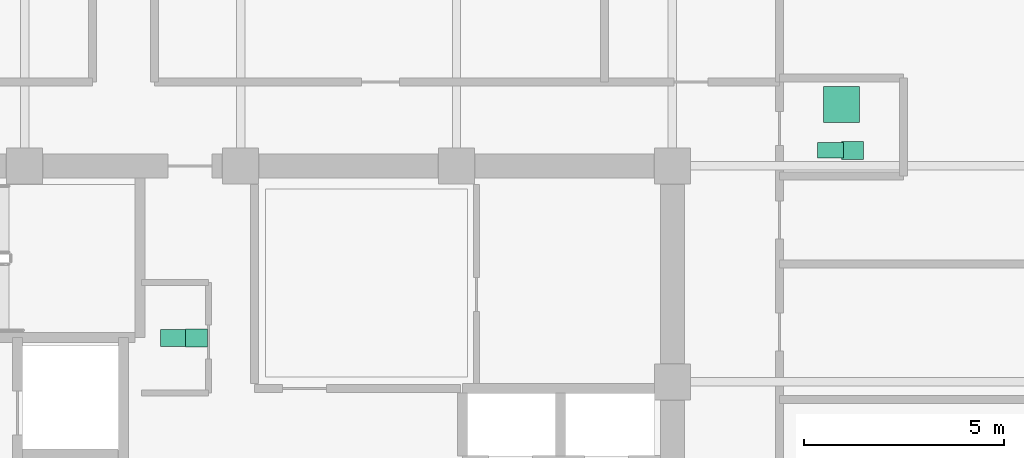
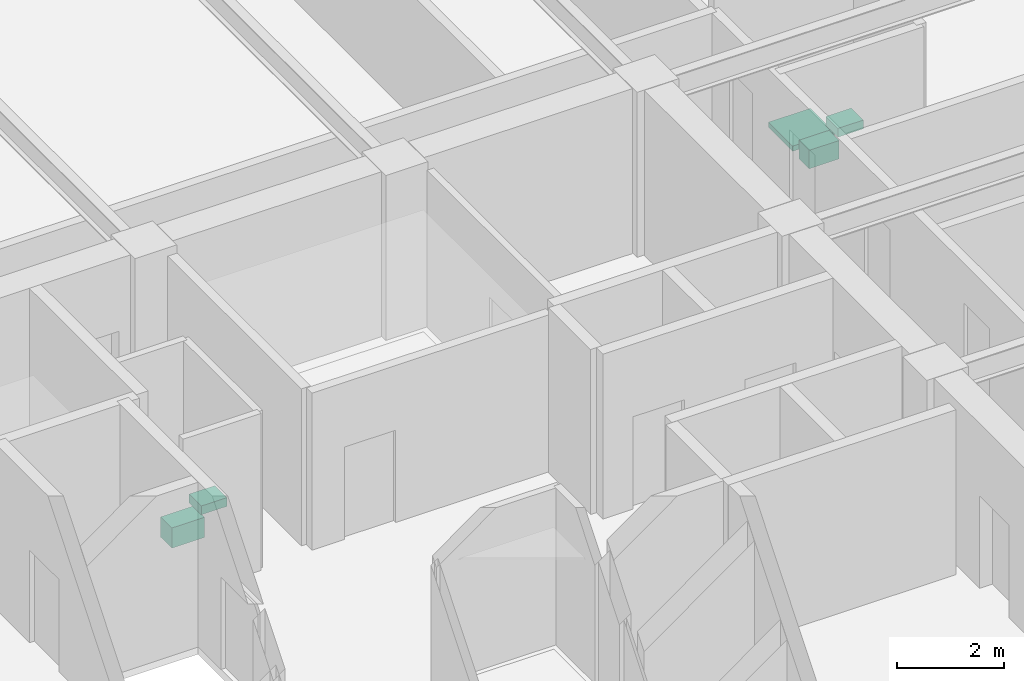
# One storey, part 32 of 32: 5 sanitary terminals.
"""IFC4 building model written with IfcOpenShell, lengths in metres."""

from ifc_helpers import new_model, si_unit, direction, frame, origin, origin_2d, place, context, subcontext, project, spatial, rectangle, extrude, material, type_object, element, save


model = new_model("IFC4")

# Units and contexts
model_context = context("Model", 3, precision=1e-05, world=origin(), true_north=direction((0.0, 1.0)))
body_context = subcontext(model_context, "Body", "Model", "MODEL_VIEW")
ifc_project = project(units=[si_unit("LENGTHUNIT", "METRE"), si_unit("AREAUNIT", "SQUARE_METRE"), si_unit("VOLUMEUNIT", "CUBIC_METRE"), si_unit("PLANEANGLEUNIT", "RADIAN"), si_unit("MASSUNIT", "GRAM", prefix="KILO")], contexts=[model_context])

# Site, building, storey
site_placement = place(None, origin())
site = spatial("IfcSite", under=ifc_project, at=site_placement, CompositionType="ELEMENT")
building_placement = place(site_placement, origin())
building = spatial("IfcBuilding", under=site, at=building_placement, Name="Surkhivell Harbour Commons", CompositionType="ELEMENT")
storey_placement = place(building_placement, frame((0.0, 0.0, 208.5)))
storey = spatial("IfcBuildingStorey", under=building, at=storey_placement, Name="L54", CompositionType="ELEMENT", Elevation=208.5)

# Sanitary terminals
ifc_material_1 = material(Name="Vitreous china washbasin", Category="other")
sanitary_terminal_type_1 = type_object("IfcSanitaryTerminalType", Name="SAN-BSN", PredefinedType="WASHHANDBASIN", material=ifc_material_1)
for number, where, z_axis, x_axis, name in (
    (1, (-1.10009765625, 6.5, 0.72021484375), (0.0, 0.0, 1.0), (1.0, 0.0, 0.0), "L54 Core Accessible WC Washbasin"),
    (2, (15.300048828125, 11.18994140625, 0.72021484375), (0.0, 0.0, 1.0), (1.0, 0.0, 0.0), "L54 East Communal Bathroom WC Washbasin"),
):
    element("IfcSanitaryTerminal", number, at=place(storey_placement, frame(where, z_axis=z_axis, x_axis=x_axis)), inside=storey, type_object=sanitary_terminal_type_1, Name=name, PredefinedType="WASHHANDBASIN", context=body_context, shape_type="SweptSolid", body=[
        extrude(rectangle(XDim=0.550048828125, YDim=0.449951171875, at=origin_2d()), origin(), (0.0, 0.0, 1.0), 0.199951171875),
    ])
ifc_material_2 = material(Name="Glazed porcelain shower tray", Category="other")
sanitary_terminal_type_2 = type_object("IfcSanitaryTerminalType", Name="SAN-SHW", PredefinedType="SHOWER", material=ifc_material_2)
sanitary_terminal_1_placement = place(storey_placement, frame((15.030029296875, 12.330078125, 0.0), z_axis=(0.0, 0.0, 1.0), x_axis=(1.0, 0.0, 0.0)))
element("IfcSanitaryTerminal", 3, at=sanitary_terminal_1_placement, inside=storey, type_object=sanitary_terminal_type_2, Name="L54 East Communal Shower Tray", PredefinedType="SHOWER", context=body_context, shape_type="SweptSolid", body=[
    extrude(rectangle(XDim=0.89990234375, YDim=0.89990234375, at=origin_2d()), origin(), (0.0, 0.0, 1.0), 0.1201171875),
])
ifc_material_3 = material(Name="Vitreous china sanitaryware", Category="other")
sanitary_terminal_type_3 = type_object("IfcSanitaryTerminalType", Name="SAN-WC-ACC", PredefinedType="TOILETPAN", material=ifc_material_3)
sanitary_terminal_2_placement = place(storey_placement, frame((-1.64990234375, 6.5, 0.169921875), z_axis=(0.0, 0.0, 1.0), x_axis=(1.0, 0.0, 0.0)))
element("IfcSanitaryTerminal", 4, at=sanitary_terminal_2_placement, inside=storey, type_object=sanitary_terminal_type_3, Name="L54 Core Accessible WC", PredefinedType="TOILETPAN", context=body_context, shape_type="SweptSolid", body=[
    extrude(rectangle(XDim=0.699951171875, YDim=0.419921875, at=origin_2d()), origin(), (0.0, 0.0, 1.0), 0.4599609375),
])
sanitary_terminal_type_4 = type_object("IfcSanitaryTerminalType", Name="SAN-WC-STD", PredefinedType="TOILETPAN", material=ifc_material_3)
sanitary_terminal_3_placement = place(storey_placement, frame((14.75, 11.18994140625, 0.18994140625), z_axis=(0.0, 0.0, 1.0), x_axis=(1.0, 0.0, 0.0)))
element("IfcSanitaryTerminal", 5, at=sanitary_terminal_3_placement, inside=storey, type_object=sanitary_terminal_type_4, Name="L54 East Communal Bathroom WC", PredefinedType="TOILETPAN", context=body_context, shape_type="SweptSolid", body=[
    extrude(rectangle(XDim=0.64990234375, YDim=0.3798828125, at=origin_2d()), origin(), (0.0, 0.0, 1.0), 0.419921875),
])

save(model, "model.ifc")
